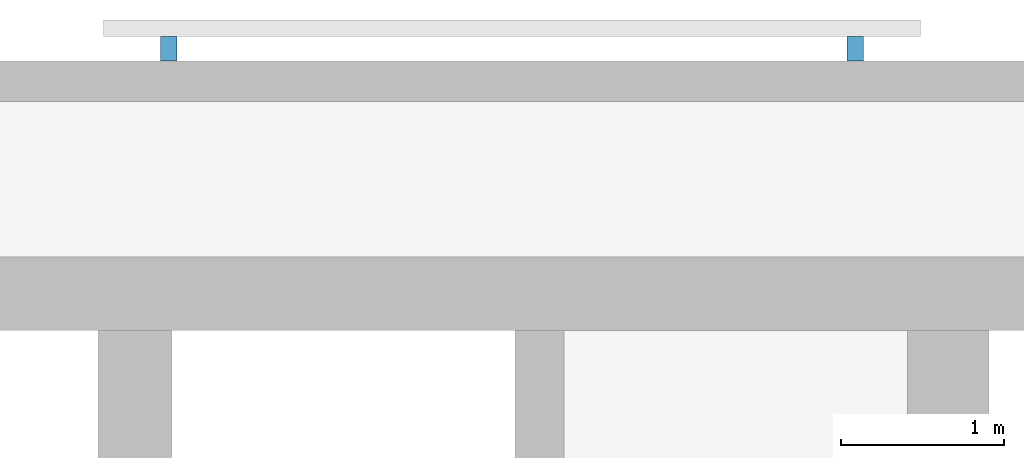
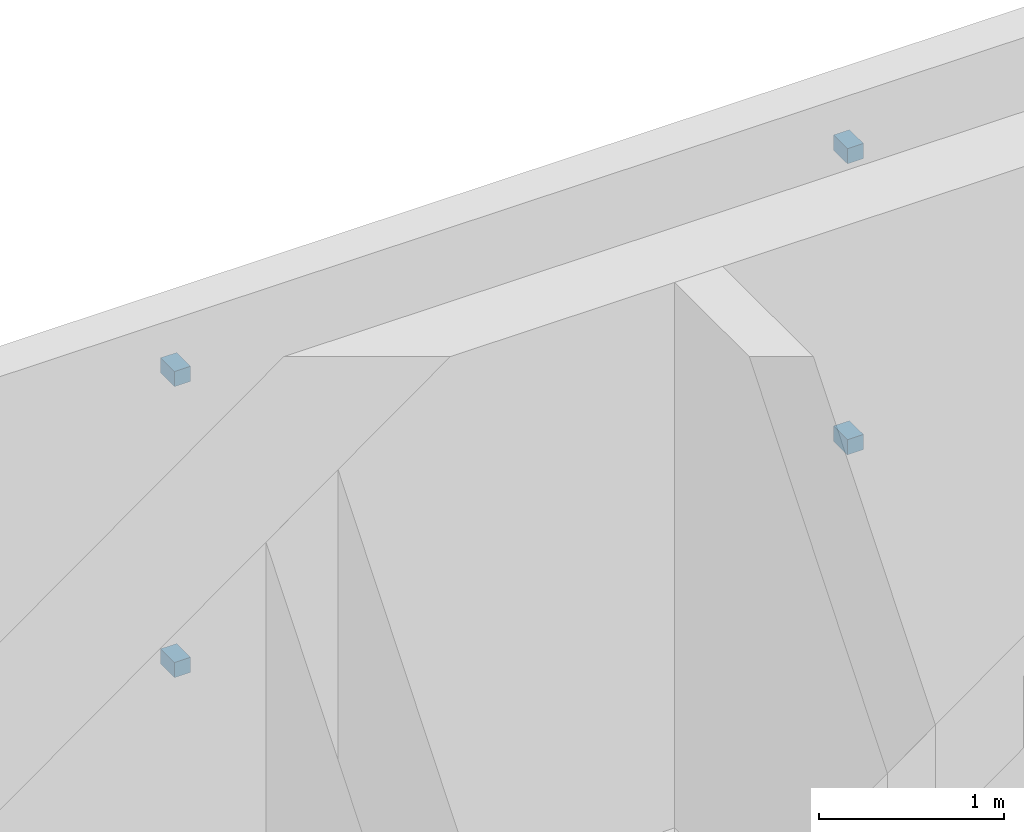
# One storey, part 11 of 14: 4 discrete accessories.
"""IFC4 building model written with IfcOpenShell, lengths in metres."""

from ifc_helpers import new_model, si_unit, direction, frame, origin, origin_2d, place, context, subcontext, project, spatial, rectangle, extrude, material, type_object, element, save


model = new_model("IFC4")

# Units and contexts
model_context = context("Model", 3, precision=1e-05, world=origin(), true_north=direction((0.0, 1.0)))
body_context = subcontext(model_context, "Body", "Model", "MODEL_VIEW")
ifc_project = project(units=[si_unit("LENGTHUNIT", "METRE"), si_unit("AREAUNIT", "SQUARE_METRE"), si_unit("VOLUMEUNIT", "CUBIC_METRE"), si_unit("PLANEANGLEUNIT", "RADIAN"), si_unit("MASSUNIT", "GRAM", prefix="KILO")], contexts=[model_context])

# Site, building, storey
site_placement = place(None, origin())
site = spatial("IfcSite", under=ifc_project, at=site_placement, CompositionType="ELEMENT")
building_placement = place(site_placement, origin())
building = spatial("IfcBuilding", under=site, at=building_placement, Name="Torana Hotel and Residences", CompositionType="ELEMENT")
storey_placement = place(building_placement, frame((0.0, 0.0, 99.60009765625)))
storey = spatial("IfcBuildingStorey", under=building, at=storey_placement, Name="L25", CompositionType="ELEMENT", Elevation=99.60009765625)

# Discrete accessories
ifc_material = material(Name="Steel S355", Category="steel")
discrete_accessory_type = type_object("IfcDiscreteAccessoryType", Name="SCREEN BRACKET 100", PredefinedType="BRACKET", material=ifc_material)
for number, where, z_axis, x_axis, name in (
    (1, (23.681396484375, 1.27490234375, 0.749755859375), (0.0, 0.0, 1.0), (-1.0, 0.0, 0.0), "Screen bracket L25"),
    (2, (23.681396484375, 1.27490234375, 2.669921875), (0.0, 0.0, 1.0), (-1.0, 0.0, 0.0), "Screen bracket L25"),
    (3, (19.4814453125, 1.27490234375, 0.749755859375), (0.0, 0.0, 1.0), (-1.0, 0.0, 0.0), "Screen bracket L25"),
    (4, (19.4814453125, 1.27490234375, 2.669921875), (0.0, 0.0, 1.0), (-1.0, 0.0, 0.0), "Screen bracket L25"),
):
    element("IfcDiscreteAccessory", number, at=place(storey_placement, frame(where, z_axis=z_axis, x_axis=x_axis)), inside=storey, type_object=discrete_accessory_type, Name=name, PredefinedType="BRACKET", context=body_context, shape_type="SweptSolid", body=[
        extrude(rectangle(XDim=0.10009765625, YDim=0.14990234375, at=origin_2d()), origin(), (0.0, 0.0, 1.0), 0.10009765625),
    ])

save(model, "model.ifc")
